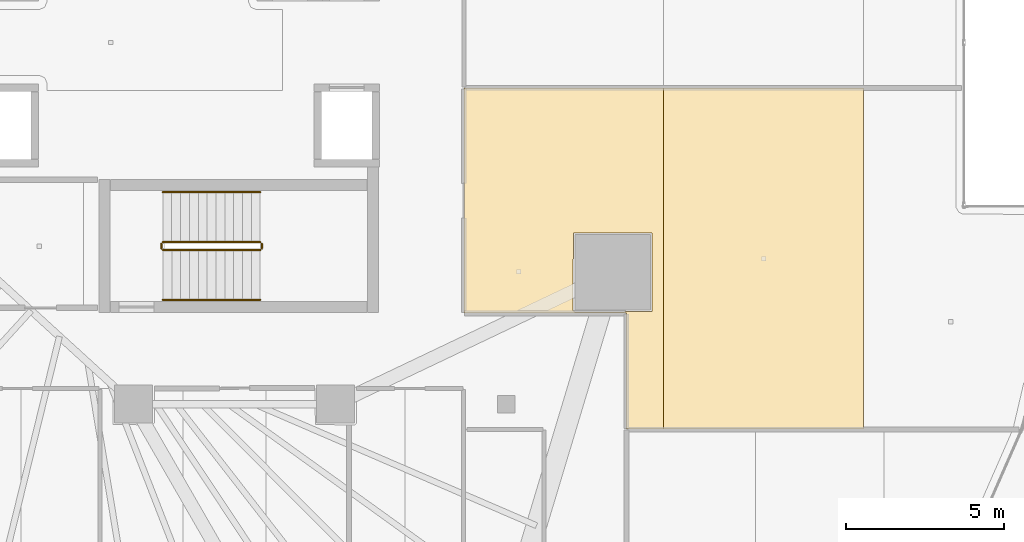
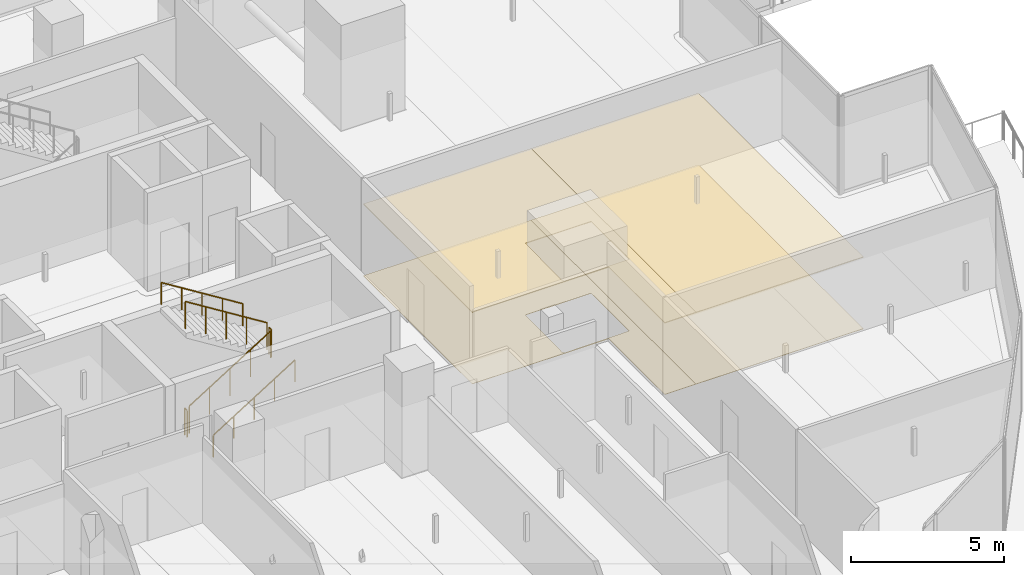
# One storey, part 39 of 44: 6 railings, 4 coverings.
"""IFC4 building model written with IfcOpenShell, lengths in metres."""

from ifc_helpers import new_model, si_unit, direction, frame, origin, origin_2d, place, context, subcontext, project, spatial, polyline, circle, outline, extrude, material, layer, layer_set, type_object, element, save


model = new_model("IFC4")

# Units and contexts
model_context = context("Model", 3, precision=1e-05, world=origin(), true_north=direction((0.0, 1.0)))
body_context = subcontext(model_context, "Body", "Model", "MODEL_VIEW")
ifc_project = project(units=[si_unit("LENGTHUNIT", "METRE"), si_unit("AREAUNIT", "SQUARE_METRE"), si_unit("VOLUMEUNIT", "CUBIC_METRE"), si_unit("PLANEANGLEUNIT", "RADIAN"), si_unit("MASSUNIT", "GRAM", prefix="KILO")], contexts=[model_context])

# Site, building, storey
site_placement = place(None, origin())
site = spatial("IfcSite", under=ifc_project, at=site_placement, CompositionType="ELEMENT")
building_placement = place(site_placement, origin())
building = spatial("IfcBuilding", under=site, at=building_placement, Name="Qorvath Tower", CompositionType="ELEMENT")
storey_placement = place(building_placement, frame((0.0, 0.0, 78.60009765625)))
storey = spatial("IfcBuildingStorey", under=building, at=storey_placement, Name="L17", CompositionType="ELEMENT", Elevation=78.60009765625)

# Coverings
ifc_material_1 = material(Name="Acoustic mineral fibre ceiling tile", Category="gypsum")
ifc_layer_1 = layer(ifc_material_1, 0.030029296875)
ifc_layer_set_1 = layer_set([ifc_layer_1], Name="COV-CEIL")
covering_type_1 = type_object("IfcCoveringType", Name="COV-CEIL", PredefinedType="CEILING", material=ifc_layer_set_1)
covering_1_placement = place(storey_placement, frame((0.0, 0.0, 2.849853515625)))
element("IfcCovering", 1, at=covering_1_placement, inside=storey, type_object=covering_type_1, Name="L17 Suspended Acoustic Ceiling 031", PredefinedType="CEILING", context=body_context, shape_type="SweptSolid", body=[
    extrude(outline(polyline([(-6.814208984375, -12.236328125), (-6.814208984375, -1.4462890625), (-13.136962890625, -1.4462890625), (-13.136962890625, -8.56689453125), (-7.988525390625, -8.568359375), (-7.987060546875, -12.236328125), (-6.814208984375, -12.236328125)]), holes=[polyline([(-9.690185546875, -8.476318359375), (-9.672607421875, -6.033935546875), (-7.18798828125, -6.033935546875), (-7.18798828125, -8.518798828125), (-9.63037109375, -8.536376953125), (-9.690185546875, -8.476318359375)])]), origin(), (0.0, 0.0, 1.0), 0.030029296875),
])
covering_2_placement = place(storey_placement, frame((0.0, 0.0, 2.849853515625)))
element("IfcCovering", 2, at=covering_2_placement, inside=storey, type_object=covering_type_1, Name="L17 Suspended Acoustic Ceiling 032", PredefinedType="CEILING", context=body_context, shape_type="SweptSolid", body=[
    extrude(outline(polyline([(-0.491455078125, -12.236328125), (-0.491455078125, -1.4462890625), (-6.814208984375, -1.4462890625), (-6.814208984375, -12.236328125), (-0.491455078125, -12.236328125)])), origin(), (0.0, 0.0, 1.0), 0.030029296875),
])
ifc_material_2 = material(Name="Low-VOC modular carpet tile", Category="textile")
ifc_layer_2 = layer(ifc_material_2, 0.014892578125)
ifc_layer_set_2 = layer_set([ifc_layer_2], Name="COV-FLOOR-CPT")
covering_type_2 = type_object("IfcCoveringType", Name="COV-FLOOR-CPT", PredefinedType="FLOORING", material=ifc_layer_set_2)
covering_3_placement = place(storey_placement, origin())
element("IfcCovering", 3, at=covering_3_placement, inside=storey, type_object=covering_type_2, Name="L17 Floor Finish 031", PredefinedType="FLOORING", context=body_context, shape_type="SweptSolid", body=[
    extrude(outline(polyline([(-6.814208984375, -12.236328125), (-6.814208984375, -1.4462890625), (-13.136962890625, -1.4462890625), (-13.136962890625, -8.56689453125), (-7.988525390625, -8.568359375), (-7.987060546875, -12.236328125), (-6.814208984375, -12.236328125)]), holes=[polyline([(-9.690185546875, -8.476318359375), (-9.672607421875, -6.033935546875), (-7.18798828125, -6.033935546875), (-7.18798828125, -8.518798828125), (-9.63037109375, -8.536376953125), (-9.690185546875, -8.476318359375)])]), origin(), (0.0, 0.0, 1.0), 0.014892578125),
])
covering_4_placement = place(storey_placement, origin())
element("IfcCovering", 4, at=covering_4_placement, inside=storey, type_object=covering_type_2, Name="L17 Floor Finish 032", PredefinedType="FLOORING", context=body_context, shape_type="SweptSolid", body=[
    extrude(outline(polyline([(-0.491455078125, -12.236328125), (-0.491455078125, -1.4462890625), (-6.814208984375, -1.4462890625), (-6.814208984375, -12.236328125), (-0.491455078125, -12.236328125)])), origin(), (0.0, 0.0, 1.0), 0.014892578125),
])

# Railings
ifc_material_3 = material(Name="Painted galvanised steel", Category="steel")
railing_type_1 = type_object("IfcRailingType", Name="RL-STR-GRD", PredefinedType="GUARDRAIL", material=ifc_material_3)
railing_1_placement = place(storey_placement, frame((-22.669921875, -6.570068359375, 0.1748046875)))
element("IfcRailing", 5, at=railing_1_placement, inside=storey, type_object=railing_type_1, Name="L17 TS2 stair guard 1", PredefinedType="GUARDRAIL", context=body_context, shape_type="SweptSolid", body=[
    extrude(circle(Radius=0.02392578125, at=origin_2d()), frame((0.0, 0.0, 1.076171875), z_axis=(0.847979421464, 0.0, 0.530029150871), x_axis=(0.0, 1.0, 0.0)), (0.0, 0.0, 1.0), 3.632080078125),
    extrude(circle(Radius=0.02099609375, at=origin_2d()), origin(), (0.0, 0.0, 1.0), 1.052001953125),
    extrude(circle(Radius=0.02099609375, at=origin_2d()), frame((0.77001953125, 0.0, 0.481201171875)), (0.0, 0.0, 1.0), 1.052001953125),
    extrude(circle(Radius=0.02099609375, at=origin_2d()), frame((1.5400390625, 0.0, 0.96240234375)), (0.0, 0.0, 1.0), 1.052001953125),
    extrude(circle(Radius=0.02099609375, at=origin_2d()), frame((2.309814453125, 0.0, 1.44384765625)), (0.0, 0.0, 1.0), 1.052001953125),
    extrude(circle(Radius=0.02099609375, at=origin_2d()), frame((3.079833984375, 0.0, 1.925048828125)), (0.0, 0.0, 1.0), 1.052001953125),
])
railing_2_placement = place(storey_placement, frame((-19.5400390625, -6.52001953125, 2.099853515625)))
element("IfcRailing", 6, at=railing_2_placement, inside=storey, type_object=railing_type_1, Name="L17 TS2 stair guard 2", PredefinedType="GUARDRAIL", context=body_context, shape_type="SweptSolid", body=[
    extrude(circle(Radius=0.02392578125, at=origin_2d()), frame((0.0, 0.0, 1.076171875), z_axis=(0.0, 1.0, 0.0), x_axis=(-1.0, 0.0, 0.0)), (0.0, 0.0, 1.0), 0.14990234375),
    extrude(circle(Radius=0.02099609375, at=origin_2d()), origin(), (0.0, 0.0, 1.0), 1.052001953125),
    extrude(circle(Radius=0.02099609375, at=origin_2d()), frame((0.0, 0.14990234375, 0.0)), (0.0, 0.0, 1.0), 1.052001953125),
])
railing_3_placement = place(storey_placement, frame((-19.590087890625, -6.320068359375, 2.27490234375)))
element("IfcRailing", 7, at=railing_3_placement, inside=storey, type_object=railing_type_1, Name="L17 TS2 stair guard 3", PredefinedType="GUARDRAIL", context=body_context, shape_type="SweptSolid", body=[
    extrude(circle(Radius=0.02392578125, at=origin_2d()), frame((0.0, 0.0, 1.076171875), z_axis=(-0.847979421464, 0.0, 0.530029150871), x_axis=(0.0, -1.0, 0.0)), (0.0, 0.0, 1.0), 3.632080078125),
    extrude(circle(Radius=0.02099609375, at=origin_2d()), origin(), (0.0, 0.0, 1.0), 1.052001953125),
    extrude(circle(Radius=0.02099609375, at=origin_2d()), frame((-0.77001953125, 0.0, 0.481201171875)), (0.0, 0.0, 1.0), 1.052001953125),
    extrude(circle(Radius=0.02099609375, at=origin_2d()), frame((-1.5400390625, 0.0, 0.96240234375)), (0.0, 0.0, 1.0), 1.052001953125),
    extrude(circle(Radius=0.02099609375, at=origin_2d()), frame((-2.309814453125, 0.0, 1.44384765625)), (0.0, 0.0, 1.0), 1.052001953125),
    extrude(circle(Radius=0.02099609375, at=origin_2d()), frame((-3.079833984375, 0.0, 1.925048828125)), (0.0, 0.0, 1.0), 1.052001953125),
])
railing_4_placement = place(storey_placement, frame((-22.719970703125, -6.52001953125, 0.0)))
element("IfcRailing", 8, at=railing_4_placement, inside=storey, type_object=railing_type_1, Name="L17 TS2 stair guard 4", PredefinedType="GUARDRAIL", context=body_context, shape_type="SweptSolid", body=[
    extrude(circle(Radius=0.02392578125, at=origin_2d()), frame((0.0, 0.0, 1.076171875), z_axis=(0.0, 1.0, 0.0), x_axis=(-1.0, 0.0, 0.0)), (0.0, 0.0, 1.0), 0.14990234375),
    extrude(circle(Radius=0.02099609375, at=origin_2d()), origin(), (0.0, 0.0, 1.0), 1.052001953125),
    extrude(circle(Radius=0.02099609375, at=origin_2d()), frame((0.0, 0.14990234375, 0.0)), (0.0, 0.0, 1.0), 1.052001953125),
])
ifc_material_4 = material(Name="Brushed stainless steel AISI 304", Category="steel")
railing_type_2 = type_object("IfcRailingType", Name="RL-STR-HND", PredefinedType="HANDRAIL", material=ifc_material_4)
railing_5_placement = place(storey_placement, frame((-22.669921875, -8.14990234375, 0.1748046875)))
element("IfcRailing", 9, at=railing_5_placement, inside=storey, type_object=railing_type_2, Name="L17 TS2 stair handrail 1", PredefinedType="HANDRAIL", context=body_context, shape_type="SweptSolid", body=[
    extrude(circle(Radius=0.02392578125, at=origin_2d()), frame((0.0, 0.0, 0.8759765625), z_axis=(0.847979421464, 0.0, 0.530029150871), x_axis=(0.0, 1.0, 0.0)), (0.0, 0.0, 1.0), 3.632080078125),
    extrude(circle(Radius=0.02099609375, at=origin_2d()), origin(), (0.0, 0.0, 1.0), 0.851806640625),
    extrude(circle(Radius=0.02099609375, at=origin_2d()), frame((0.77001953125, 0.0, 0.481201171875)), (0.0, 0.0, 1.0), 0.851806640625),
    extrude(circle(Radius=0.02099609375, at=origin_2d()), frame((1.5400390625, 0.0, 0.96240234375)), (0.0, 0.0, 1.0), 0.851806640625),
    extrude(circle(Radius=0.02099609375, at=origin_2d()), frame((2.309814453125, 0.0, 1.44384765625)), (0.0, 0.0, 1.0), 0.851806640625),
    extrude(circle(Radius=0.02099609375, at=origin_2d()), frame((3.079833984375, 0.0, 1.925048828125)), (0.0, 0.0, 1.0), 0.851806640625),
])
railing_6_placement = place(storey_placement, frame((-19.590087890625, -4.739990234375, 2.27490234375)))
element("IfcRailing", 10, at=railing_6_placement, inside=storey, type_object=railing_type_2, Name="L17 TS2 stair handrail 2", PredefinedType="HANDRAIL", context=body_context, shape_type="SweptSolid", body=[
    extrude(circle(Radius=0.02392578125, at=origin_2d()), frame((0.0, 0.0, 0.8759765625), z_axis=(-0.847979421464, 0.0, 0.530029150871), x_axis=(0.0, -1.0, 0.0)), (0.0, 0.0, 1.0), 3.632080078125),
    extrude(circle(Radius=0.02099609375, at=origin_2d()), origin(), (0.0, 0.0, 1.0), 0.851806640625),
    extrude(circle(Radius=0.02099609375, at=origin_2d()), frame((-0.77001953125, 0.0, 0.481201171875)), (0.0, 0.0, 1.0), 0.851806640625),
    extrude(circle(Radius=0.02099609375, at=origin_2d()), frame((-1.5400390625, 0.0, 0.96240234375)), (0.0, 0.0, 1.0), 0.851806640625),
    extrude(circle(Radius=0.02099609375, at=origin_2d()), frame((-2.309814453125, 0.0, 1.44384765625)), (0.0, 0.0, 1.0), 0.851806640625),
    extrude(circle(Radius=0.02099609375, at=origin_2d()), frame((-3.079833984375, 0.0, 1.925048828125)), (0.0, 0.0, 1.0), 0.851806640625),
])

save(model, "model.ifc")
